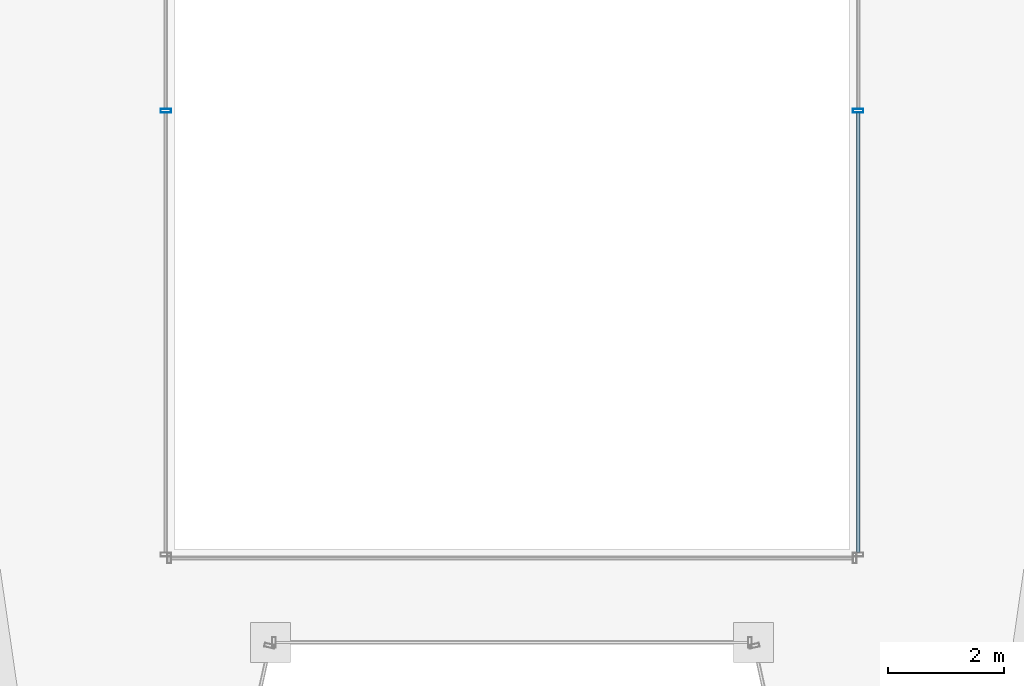
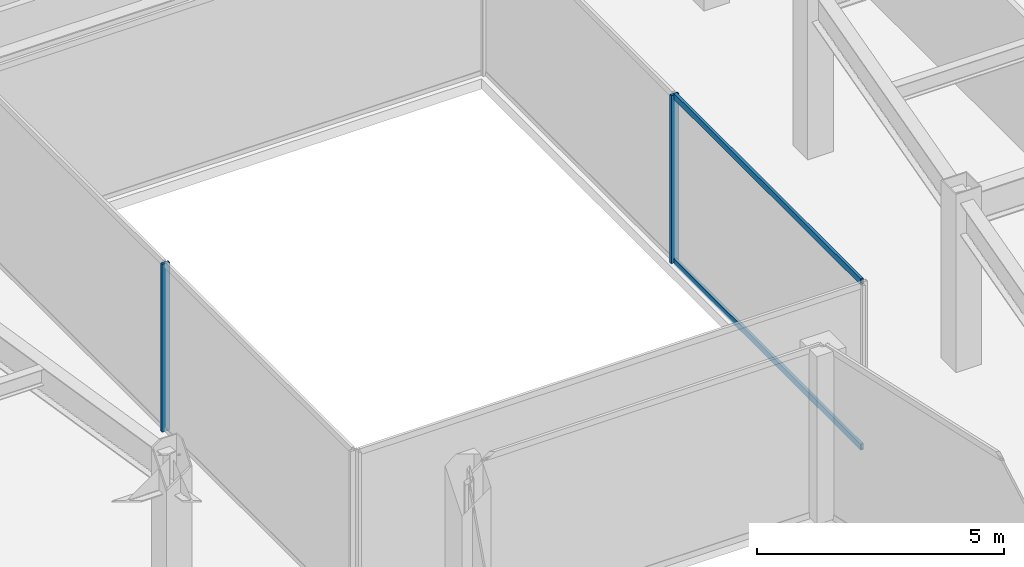
# One storey, part 11 of 37: 4 members, 2 elements without a shape of their own.
"""IFC4 building model written with IfcOpenShell, lengths in metres."""

from ifc_helpers import new_model, si_unit, direction, frame, origin, origin_2d, place, context, subcontext, project, spatial, hollow_rectangle, extrude, material, material_profile, profile_set, type_object, element, aggregate, save


model = new_model("IFC4")

# Units and contexts
model_context = context("Model", 3, precision=1e-05, world=origin(), true_north=direction((0.0, 1.0)))
body_context = subcontext(model_context, "Body", "Model", "MODEL_VIEW")
ifc_project = project(units=[si_unit("LENGTHUNIT", "METRE"), si_unit("AREAUNIT", "SQUARE_METRE"), si_unit("VOLUMEUNIT", "CUBIC_METRE"), si_unit("PLANEANGLEUNIT", "RADIAN"), si_unit("MASSUNIT", "GRAM", prefix="KILO")], contexts=[model_context])

# Site, building, storey
site_placement = place(None, origin())
site = spatial("IfcSite", under=ifc_project, at=site_placement, CompositionType="ELEMENT")
building_placement = place(site_placement, origin())
building = spatial("IfcBuilding", under=site, at=building_placement, Name="Saevonmaru Cultural Tower", CompositionType="ELEMENT")
storey_placement = place(building_placement, frame((0.0, 0.0, 110.39990234375)))
storey = spatial("IfcBuildingStorey", under=building, at=storey_placement, Name="L23", CompositionType="ELEMENT", Elevation=110.39990234375)

# Curtain wall, member
ifc_material = material(Name="Satin Bronze Anodised Aluminium", Category="aluminium")
curtain_wall_type = type_object("IfcCurtainWallType", Name="CW-ATR-GLZ", PredefinedType="NOTDEFINED", material=ifc_material)
curtain_wall_1_placement = place(storey_placement, origin())
curtain_wall_1 = element("IfcCurtainWall", 1, at=curtain_wall_1_placement, inside=storey, type_object=curtain_wall_type, Name="L23 Vertical Atrium Glazed Smoke Screen 2", PredefinedType="NOTDEFINED")
ifc_material_profile_1 = material_profile(ifc_material, hollow_rectangle(XDim=0.06494140625, YDim=0.179931640625, WallThickness=0.00390625, at=origin_2d()), Name="ALU-MULL-180x65x4")
ifc_profile_set_1 = profile_set([ifc_material_profile_1], Name="Satin Bronze Anodised Aluminium")
member_type_1 = type_object("IfcMemberType", Name="ML-CW-INT-180x65", PredefinedType="MULLION", material=ifc_profile_set_1)
member_1_placement = place(storey_placement, frame((35.949951171875, 29.93994140625, 0.0), z_axis=(0.0, 0.0, 1.0), x_axis=(0.0, 1.0, 0.0)))
member_1 = element("IfcMember", 2, at=member_1_placement, type_object=member_type_1, Name="CW-ATR-L23-2 mullion 2", PredefinedType="MULLION", context=body_context, shape_type="SweptSolid", body=[
    extrude(hollow_rectangle(XDim=0.06494140625, YDim=0.179931640625, WallThickness=0.00390625, at=origin_2d()), origin(), (0.0, 0.0, 1.0), 4.150146484375),
])

curtain_wall_2_placement = place(storey_placement, origin())
curtain_wall_2 = element("IfcCurtainWall", 3, at=curtain_wall_2_placement, inside=storey, type_object=curtain_wall_type, Name="L23 Vertical Atrium Glazed Smoke Screen 4", PredefinedType="NOTDEFINED")
member_2_placement = place(storey_placement, frame((24.050048828125, 29.93994140625, 0.0), z_axis=(0.0, 0.0, 1.0), x_axis=(0.0, -1.0, 0.0)))
member_2 = element("IfcMember", 4, at=member_2_placement, type_object=member_type_1, Name="CW-ATR-L23-4 mullion 2", PredefinedType="MULLION", context=body_context, shape_type="SweptSolid", body=[
    extrude(hollow_rectangle(XDim=0.06494140625, YDim=0.179931640625, WallThickness=0.00390625, at=origin_2d()), origin(), (0.0, 0.0, 1.0), 4.150146484375),
])
aggregate(curtain_wall_2, [member_2])

# Member
ifc_material_profile_2 = material_profile(ifc_material, hollow_rectangle(XDim=0.06494140625, YDim=0.14990234375, WallThickness=0.00390625, at=origin_2d()), Name="ALU-TRAN-150x65x4")
ifc_profile_set_2 = profile_set([ifc_material_profile_2], Name="Satin Bronze Anodised Aluminium")
member_type_2 = type_object("IfcMemberType", Name="TR-CW-INT-150x65", PredefinedType="USERDEFINED", material=ifc_profile_set_2)
member_3_placement = place(storey_placement, frame((35.949951171875, 22.342529296875, 0.03271484375), z_axis=(0.0, 1.0, 0.0), x_axis=(-1.0, 0.0, 0.0)))
member_3 = element("IfcMember", 5, at=member_3_placement, type_object=member_type_2, Name="CW-ATR-L23-2 transom 1.1", ObjectType="TRANSOM", PredefinedType="USERDEFINED", context=body_context, shape_type="SweptSolid", body=[
    extrude(hollow_rectangle(XDim=0.06494140625, YDim=0.14990234375, WallThickness=0.00390625, at=origin_2d()), origin(), (0.0, 0.0, 1.0), 7.56494140625),
])

member_4_placement = place(storey_placement, frame((35.949951171875, 22.342529296875, 4.11767578125), z_axis=(0.0, 1.0, 0.0), x_axis=(-1.0, 0.0, 0.0)))
member_4 = element("IfcMember", 6, at=member_4_placement, type_object=member_type_2, Name="CW-ATR-L23-2 transom 1.2", ObjectType="TRANSOM", PredefinedType="USERDEFINED", context=body_context, shape_type="SweptSolid", body=[
    extrude(hollow_rectangle(XDim=0.06494140625, YDim=0.14990234375, WallThickness=0.00390625, at=origin_2d()), origin(), (0.0, 0.0, 1.0), 7.56494140625),
])

aggregate(curtain_wall_1, [member_1, member_3, member_4])

save(model, "model.ifc")
